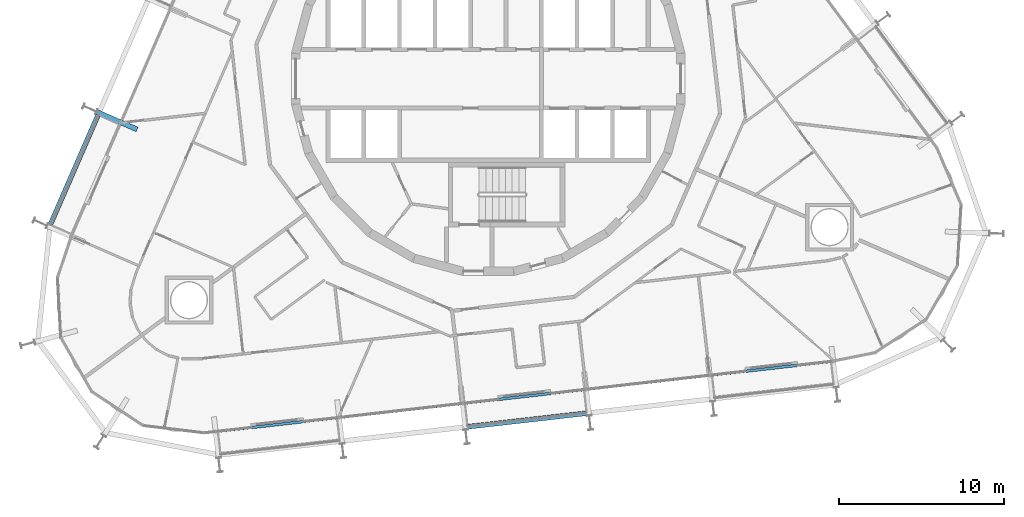
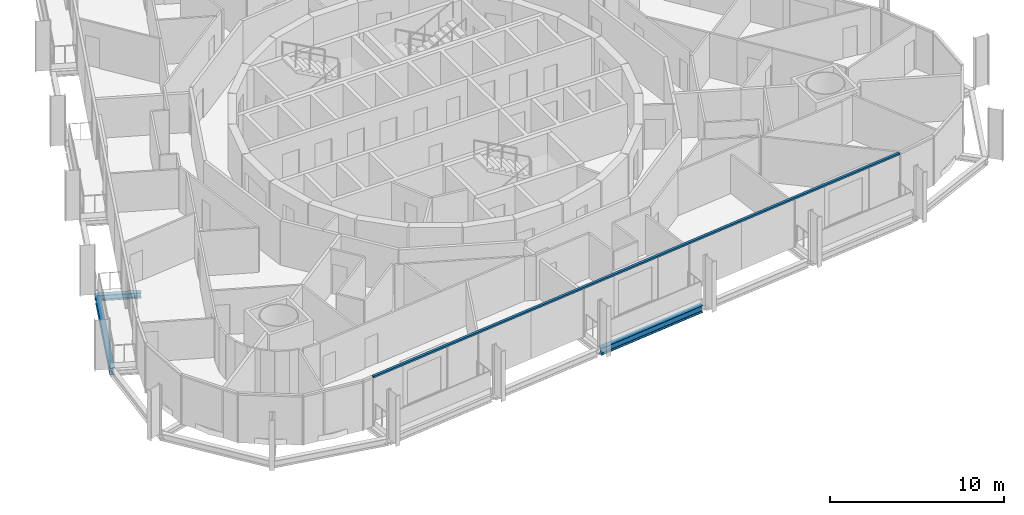
# One storey, part 4 of 24: 3 beams, 1 member, 1 element without a shape of its own.
"""IFC4 building model written with IfcOpenShell, lengths in metres."""

from ifc_helpers import new_model, si_unit, direction, frame, origin, origin_2d, place, context, subcontext, project, spatial, rectangle, i_section, extrude, material, layer, layer_set, material_profile, profile_set, type_object, element, aggregate, save


model = new_model("IFC4")

# Units and contexts
model_context = context("Model", 3, precision=1e-05, world=origin(), true_north=direction((0.0, 1.0)))
body_context = subcontext(model_context, "Body", "Model", "MODEL_VIEW")
ifc_project = project(units=[si_unit("LENGTHUNIT", "METRE"), si_unit("AREAUNIT", "SQUARE_METRE"), si_unit("VOLUMEUNIT", "CUBIC_METRE"), si_unit("PLANEANGLEUNIT", "RADIAN"), si_unit("MASSUNIT", "GRAM", prefix="KILO")], contexts=[model_context])

# Site, building, storey
site_placement = place(None, origin())
site = spatial("IfcSite", under=ifc_project, at=site_placement, CompositionType="ELEMENT")
building_placement = place(site_placement, origin())
building = spatial("IfcBuilding", under=site, at=building_placement, Name="Spindle Arch Residences", CompositionType="ELEMENT")
storey_placement = place(building_placement, frame((0.0, 0.0, 87.199951171875)))
storey = spatial("IfcBuildingStorey", under=building, at=storey_placement, Name="L20", CompositionType="ELEMENT", Elevation=87.199951171875)

# Curtain wall, member
ifc_material_1 = material(Name="Aluminium bronze unitised frame with tinted glass", Category="aluminium")
ifc_layer = layer(ifc_material_1, 0.159912109375)
ifc_layer_set = layer_set([ifc_layer], Name="CW-C typical residential unitised wall")
curtain_wall_type = type_object("IfcCurtainWallType", Name="CW-C typical residential unitised wall", PredefinedType="NOTDEFINED", material=ifc_layer_set)
curtain_wall_placement = place(storey_placement, origin())
curtain_wall = element("IfcCurtainWall", 1, at=curtain_wall_placement, inside=storey, type_object=curtain_wall_type, Name="CW-C L20 run 6", PredefinedType="NOTDEFINED")
ifc_material_2 = material(Name="Aluminium bronze anodised transom", Category="aluminium")
ifc_material_profile_1 = material_profile(ifc_material_2, rectangle(XDim=0.159912109375, YDim=0.1201171875, at=origin_2d()), Name="TR 120x160")
ifc_profile_set_1 = profile_set([ifc_material_profile_1], Name="Aluminium bronze anodised transom")
member_type = type_object("IfcMemberType", Name="Bronze transom 120x160", PredefinedType="USERDEFINED", material=ifc_profile_set_1)
member_placement = place(storey_placement, frame((-16.457275390625, -21.337646484375, 3.06005859375), z_axis=(0.993571693336, 0.1132046386, 0.0), x_axis=(-0.1132046386, 0.993571693336, 0.0)))
member = element("IfcMember", 2, at=member_placement, type_object=member_type, Name="CW-C transom 00", ObjectType="TRANSOM", PredefinedType="USERDEFINED", context=body_context, shape_type="SweptSolid", body=[
    extrude(rectangle(XDim=0.159912109375, YDim=0.1201171875, at=origin_2d()), origin(), (0.0, 0.0, 1.0), 37.533935546875),
])
aggregate(curtain_wall, [member])

# Beams
ifc_material_3 = material(Name="Steel S460ML, intumescent coating R 120", Category="steel")
ifc_material_profile_2 = material_profile(ifc_material_3, i_section(OverallWidth=0.300048828125, OverallDepth=0.5, WebThickness=0.014404296875, FlangeThickness=0.028076171875, FilletRadius=0.027099609375, at=origin_2d()), Name="HEB 500")
ifc_profile_set_2 = profile_set([ifc_material_profile_2], Name="Steel S460ML, intumescent coating R 120")
beam_type_1 = type_object("IfcBeamType", Name="Exoskeleton edge beam HEB 500", PredefinedType="BEAM", material=ifc_profile_set_2)
beam_1_placement = place(storey_placement, frame((-23.5966796875, -2.1796875, -0.6298828125), z_axis=(-0.398760546857, -0.917055083553, 0.0), x_axis=(0.917055083553, -0.398760546857, 0.0)))
element("IfcBeam", 3, at=beam_1_placement, inside=storey, type_object=beam_type_1, Name="Exoskeleton edge beam 18", PredefinedType="BEAM", context=body_context, shape_type="SweptSolid", body=[
    extrude(i_section(OverallWidth=0.300048828125, OverallDepth=0.5, WebThickness=0.014404296875, FlangeThickness=0.028076171875, FilletRadius=0.027099609375, at=origin_2d()), origin(), (0.0, 0.0, 1.0), 7.2587890625),
])
beam_2_placement = place(storey_placement, frame((-1.2548828125, -21.0478515625, -0.6298828125), z_axis=(0.993575205863, 0.113173805691, 0.0), x_axis=(-0.113173805691, 0.993575205863, 0.0)))
element("IfcBeam", 4, at=beam_2_placement, inside=storey, type_object=beam_type_1, Name="Exoskeleton edge beam 24", PredefinedType="BEAM", context=body_context, shape_type="SweptSolid", body=[
    extrude(i_section(OverallWidth=0.300048828125, OverallDepth=0.5, WebThickness=0.014404296875, FlangeThickness=0.028076171875, FilletRadius=0.027099609375, at=origin_2d()), origin(), (0.0, 0.0, 1.0), 7.259033203125),
])
ifc_material_4 = material(Name="Steel S460ML, intumescent coating R 120", Category="steel")
ifc_material_profile_3 = material_profile(ifc_material_4, i_section(OverallWidth=0.300048828125, OverallDepth=0.389892578125, WebThickness=0.010986328125, FlangeThickness=0.01904296875, FilletRadius=0.027099609375, at=origin_2d()), Name="HEA 400")
ifc_profile_set_3 = profile_set([ifc_material_profile_3], Name="Steel S460ML, intumescent coating R 120")
beam_type_2 = type_object("IfcBeamType", Name="Floor outrigger HEA 400", PredefinedType="BEAM", material=ifc_profile_set_3)
beam_3_placement = place(storey_placement, frame((-23.670654296875, -2.005859375, -0.574951171875), z_axis=(0.917064197317, -0.398739586698, 0.0), x_axis=(0.398739586698, 0.917064197317, 0.0)))
element("IfcBeam", 5, at=beam_3_placement, inside=storey, type_object=beam_type_2, Name="Floor outrigger 18", PredefinedType="BEAM", context=body_context, shape_type="SweptSolid", body=[
    extrude(i_section(OverallWidth=0.300048828125, OverallDepth=0.389892578125, WebThickness=0.010986328125, FlangeThickness=0.01904296875, FilletRadius=0.027099609375, at=origin_2d()), origin(), (0.0, 0.0, 1.0), 2.64990234375),
])

save(model, "model.ifc")
